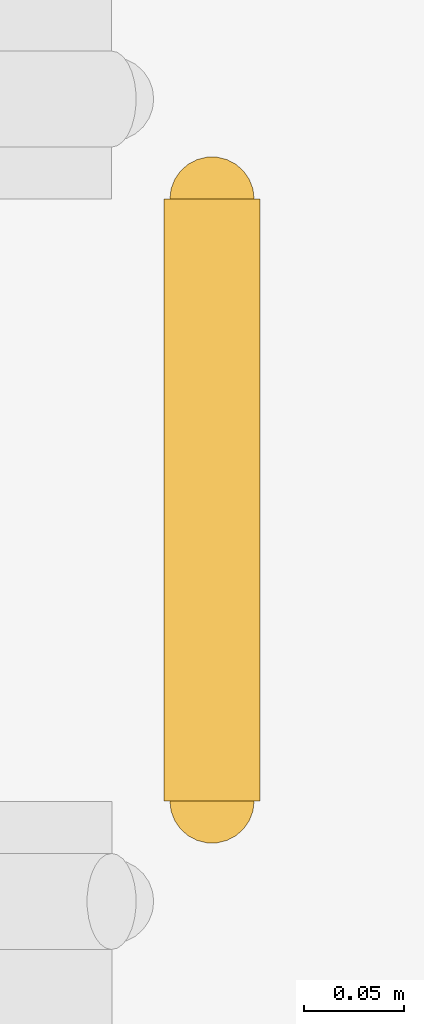
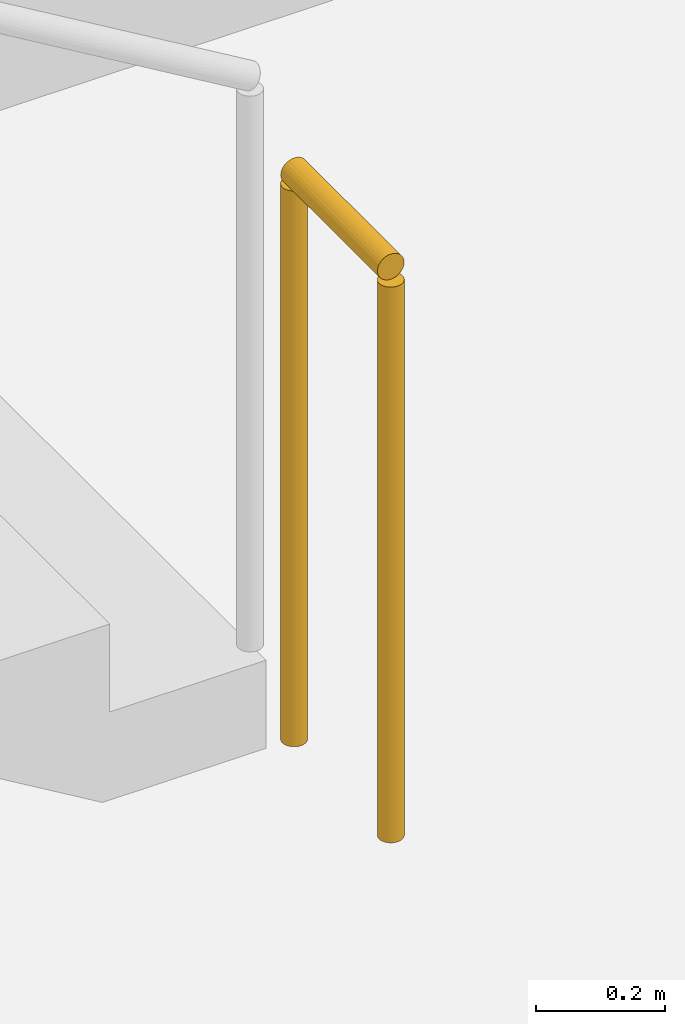
# One storey, part 30 of 30: 1 railing.
"""IFC4 building model written with IfcOpenShell, lengths in metres."""

from ifc_helpers import new_model, si_unit, direction, frame, origin, origin_2d, place, context, subcontext, project, spatial, circle, extrude, material, type_object, element, save


model = new_model("IFC4")

# Units and contexts
model_context = context("Model", 3, precision=1e-05, world=origin(), true_north=direction((0.0, 1.0)))
body_context = subcontext(model_context, "Body", "Model", "MODEL_VIEW")
ifc_project = project(units=[si_unit("LENGTHUNIT", "METRE"), si_unit("AREAUNIT", "SQUARE_METRE"), si_unit("VOLUMEUNIT", "CUBIC_METRE"), si_unit("PLANEANGLEUNIT", "RADIAN"), si_unit("MASSUNIT", "GRAM", prefix="KILO")], contexts=[model_context])

# Site, building, storey
site_placement = place(None, origin())
site = spatial("IfcSite", under=ifc_project, at=site_placement, CompositionType="ELEMENT")
building_placement = place(site_placement, origin())
building = spatial("IfcBuilding", under=site, at=building_placement, Name="Tamarind Cross Interchange Tower", CompositionType="ELEMENT")
storey_placement = place(building_placement, frame((0.0, 0.0, -14.0)))
storey = spatial("IfcBuildingStorey", under=building, at=storey_placement, Name="B2", CompositionType="ELEMENT", Elevation=-14.0)

# Railing
ifc_material = material(Name="Public stair guard")
railing_type = type_object("IfcRailingType", Name="Public stair guard", PredefinedType="GUARDRAIL", material=ifc_material)
railing_placement = place(storey_placement, frame((61.25, 44.60009765625, 0.0)))
element("IfcRailing", 1, at=railing_placement, inside=storey, type_object=railing_type, Name="B2 XS-P02 stair guard 4", PredefinedType="GUARDRAIL", context=body_context, shape_type="SweptSolid", body=[
    extrude(circle(Radius=0.02392578125, at=origin_2d()), frame((0.0, 0.0, 1.076171875), z_axis=(0.0, -1.0, 0.0), x_axis=(1.0, 0.0, 0.0)), (0.0, 0.0, 1.0), 0.300048828125),
    extrude(circle(Radius=0.02099609375, at=origin_2d()), origin(), (0.0, 0.0, 1.0), 1.052001953125),
    extrude(circle(Radius=0.02099609375, at=origin_2d()), frame((0.0, -0.300048828125, 0.0)), (0.0, 0.0, 1.0), 1.052001953125),
])

save(model, "model.ifc")
